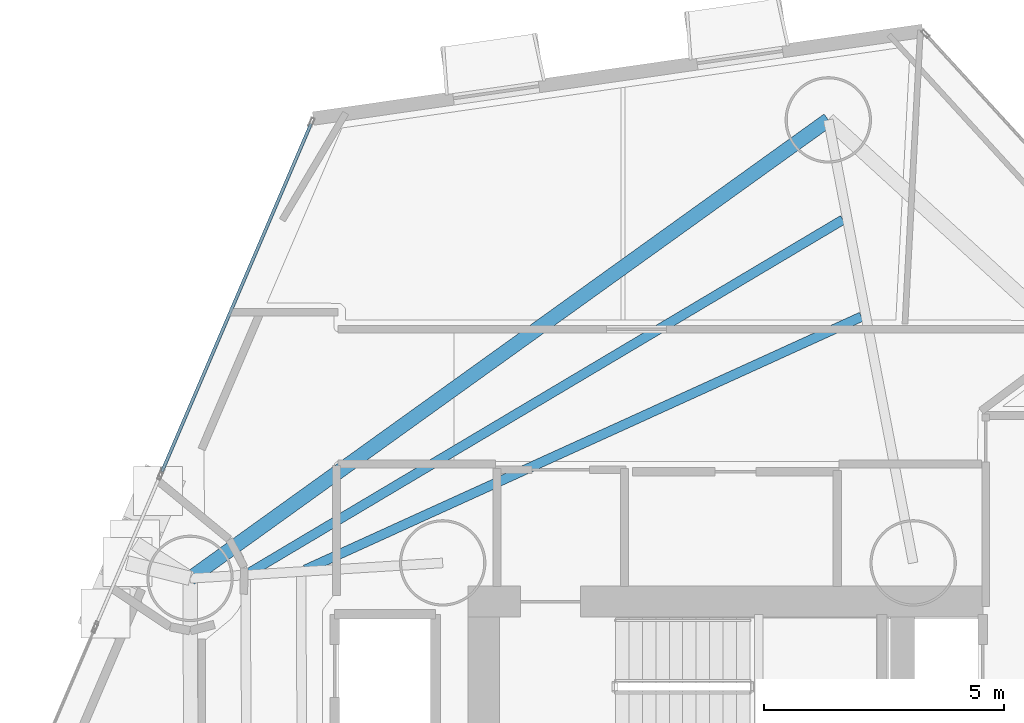
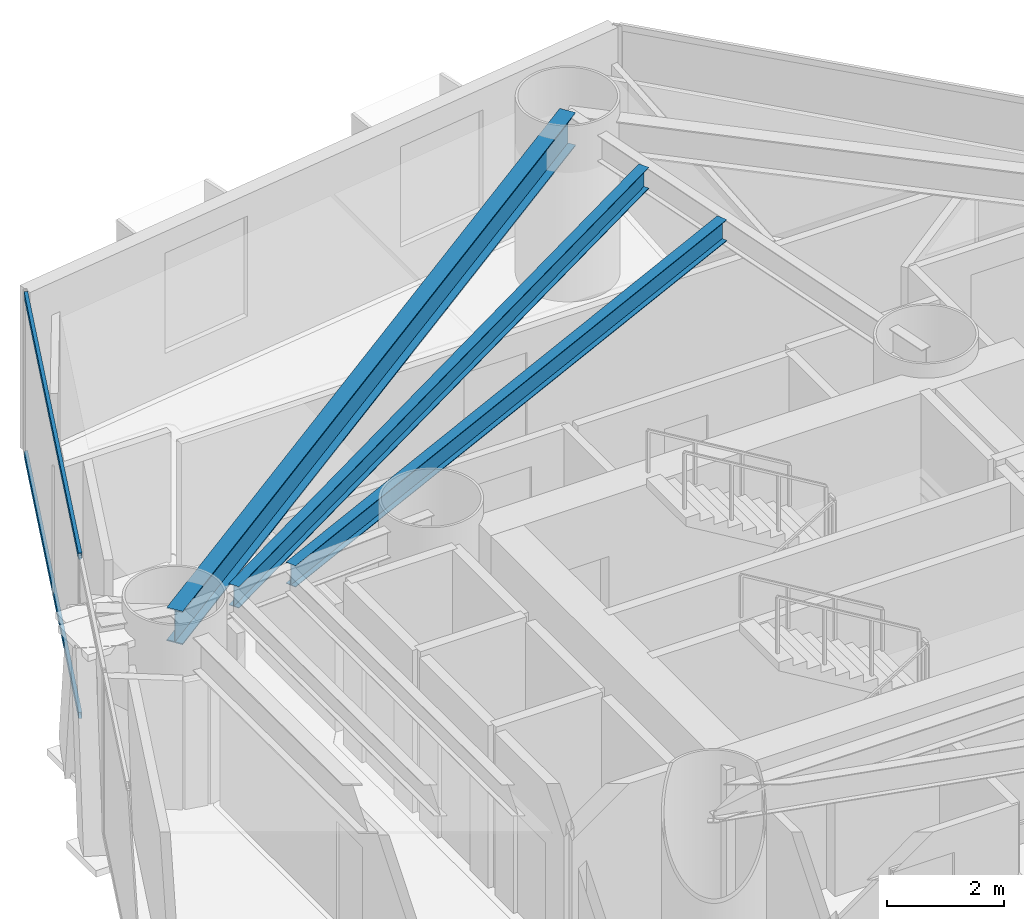
# One storey, part 8 of 22: 3 beams, 2 members, 1 element without a shape of its own.
"""IFC4 building model written with IfcOpenShell, lengths in metres."""

from ifc_helpers import new_model, si_unit, direction, frame, origin, origin_2d, place, context, subcontext, project, spatial, hollow_rectangle, i_section, extrude, material, layer, layer_set, material_profile, profile_set, type_object, element, aggregate, save


model = new_model("IFC4")

# Units and contexts
model_context = context("Model", 3, precision=1e-05, world=origin(), true_north=direction((0.0, 1.0)))
body_context = subcontext(model_context, "Body", "Model", "MODEL_VIEW")
ifc_project = project(units=[si_unit("LENGTHUNIT", "METRE"), si_unit("AREAUNIT", "SQUARE_METRE"), si_unit("VOLUMEUNIT", "CUBIC_METRE"), si_unit("PLANEANGLEUNIT", "RADIAN"), si_unit("MASSUNIT", "GRAM", prefix="KILO")], contexts=[model_context])

# Site, building, storey
site_placement = place(None, origin())
site = spatial("IfcSite", under=ifc_project, at=site_placement, CompositionType="ELEMENT")
building_placement = place(site_placement, origin())
building = spatial("IfcBuilding", under=site, at=building_placement, Name="Qianvela Tower", CompositionType="ELEMENT")
storey_placement = place(building_placement, frame((0.0, 0.0, 44.199951171875)))
storey = spatial("IfcBuildingStorey", under=building, at=storey_placement, Name="L10", CompositionType="ELEMENT", Elevation=44.199951171875)

# Beams
ifc_material_1 = material(Name="Steel Q355B", Category="steel")
ifc_material_profile_1 = material_profile(ifc_material_1, i_section(OverallWidth=0.199951171875, OverallDepth=0.449951171875, WebThickness=0.009033203125, FlangeThickness=0.013916015625, at=origin_2d()), Name="HN450x200x9x14")
ifc_profile_set_1 = profile_set([ifc_material_profile_1], Name="Steel Q355B")
beam_type_1 = type_object("IfcBeamType", Name="BM-HN450-JOIST", PredefinedType="JOIST", material=ifc_profile_set_1)
beam_1_placement = place(storey_placement, frame((37.322509765625, 38.677978515625, 3.173095703125), z_axis=(-0.910244872328, -0.414070371315, 0.0), x_axis=(0.414070371315, -0.910244872328, 0.0)))
element("IfcBeam", 1, at=beam_1_placement, inside=storey, type_object=beam_type_1, Name="L10 Secondary Composite Floor Joist 3.2", PredefinedType="JOIST", context=body_context, shape_type="SweptSolid", body=[
    extrude(i_section(OverallWidth=0.199951171875, OverallDepth=0.449951171875, WebThickness=0.009033203125, FlangeThickness=0.013916015625, at=origin_2d()), origin(), (0.0, 0.0, 1.0), 12.723876953125),
])
beam_2_placement = place(storey_placement, frame((36.9384765625, 40.69873046875, 3.173095703125), z_axis=(-0.859492146952, -0.511148950237, 0.0), x_axis=(0.511148950237, -0.859492146952, 0.0)))
element("IfcBeam", 2, at=beam_2_placement, inside=storey, type_object=beam_type_1, Name="L10 Secondary Composite Floor Joist 3.3", PredefinedType="JOIST", context=body_context, shape_type="SweptSolid", body=[
    extrude(i_section(OverallWidth=0.199951171875, OverallDepth=0.449951171875, WebThickness=0.009033203125, FlangeThickness=0.013916015625, at=origin_2d()), origin(), (0.0, 0.0, 1.0), 14.381103515625),
])
ifc_material_2 = material(Name="Steel Q355B", Category="steel")
ifc_material_profile_2 = material_profile(ifc_material_2, i_section(OverallWidth=0.300048828125, OverallDepth=0.699951171875, WebThickness=0.012939453125, FlangeThickness=0.02392578125, at=origin_2d()), Name="HN700x300x13x24")
ifc_profile_set_2 = profile_set([ifc_material_profile_2], Name="Steel Q355B")
beam_type_2 = type_object("IfcBeamType", Name="BM-HN700-SPAND", PredefinedType="SPANDREL", material=ifc_profile_set_2)
beam_3_placement = place(storey_placement, frame((36.632080078125, 42.778076171875, 3.048095703125), z_axis=(-0.812164446449, -0.583428583397, 0.0), x_axis=(0.583428583397, -0.812164446449, 0.0)))
element("IfcBeam", 3, at=beam_3_placement, inside=storey, type_object=beam_type_2, Name="L10 Perimeter Ring Spandrel Girder 3", PredefinedType="SPANDREL", context=body_context, shape_type="SweptSolid", body=[
    extrude(i_section(OverallWidth=0.300048828125, OverallDepth=0.699951171875, WebThickness=0.012939453125, FlangeThickness=0.02392578125, at=origin_2d()), origin(), (0.0, 0.0, 1.0), 16.368896484375),
])

# Curtain wall, members
ifc_material_3 = material(Name="Anodised Architectural Aluminium and Low-E Glass", Category="aluminium")
ifc_layer = layer(ifc_material_3, 0.179931640625)
ifc_layer_set = layer_set([ifc_layer], Name="Anodised Architectural Aluminium and Low-E Glass")
curtain_wall_type = type_object("IfcCurtainWallType", Name="CW-COLIV-Z12", PredefinedType="USERDEFINED", material=ifc_layer_set)
curtain_wall_placement = place(storey_placement, origin())
curtain_wall = element("IfcCurtainWall", 4, at=curtain_wall_placement, inside=storey, type_object=curtain_wall_type, Name="L10 CW-COLIV-Z12 Curtain Wall 04A", ObjectType="CURTAIN_WALL_SYSTEM", PredefinedType="USERDEFINED")
ifc_material_4 = material(Name="Anodised Architectural Aluminium 6063-T6", Category="aluminium")
ifc_material_profile_3 = material_profile(ifc_material_4, hollow_rectangle(XDim=0.06494140625, YDim=0.1298828125, WallThickness=0.00439453125, at=origin_2d()), Name="ALU-TRAN-65x130")
ifc_profile_set_3 = profile_set([ifc_material_profile_3], Name="Anodised Architectural Aluminium 6063-T6")
member_type = type_object("IfcMemberType", Name="CW-COLIV-Z12-TRAN", PredefinedType="USERDEFINED", material=ifc_profile_set_3)
member_1_placement = place(storey_placement, frame((25.857666015625, 42.696044921875, 0.032470703125), z_axis=(-0.393945473489, -0.919133811759, 0.0), x_axis=(0.919133811759, -0.393945473489, 0.0)))
member_1 = element("IfcMember", 5, at=member_1_placement, type_object=member_type, Name="CW-3 transom 1.1", ObjectType="TRANSOM", PredefinedType="USERDEFINED", context=body_context, shape_type="SweptSolid", body=[
    extrude(hollow_rectangle(XDim=0.06494140625, YDim=0.1298828125, WallThickness=0.00439453125, at=origin_2d()), origin(), (0.0, 0.0, 1.0), 7.8798828125),
])
member_2_placement = place(storey_placement, frame((25.857666015625, 42.696044921875, 3.367431640625), z_axis=(-0.393945473489, -0.919133811759, 0.0), x_axis=(0.919133811759, -0.393945473489, 0.0)))
member_2 = element("IfcMember", 6, at=member_2_placement, type_object=member_type, Name="CW-3 transom 1.2", ObjectType="TRANSOM", PredefinedType="USERDEFINED", context=body_context, shape_type="SweptSolid", body=[
    extrude(hollow_rectangle(XDim=0.06494140625, YDim=0.1298828125, WallThickness=0.00439453125, at=origin_2d()), origin(), (0.0, 0.0, 1.0), 7.8798828125),
])
aggregate(curtain_wall, [member_1, member_2])

save(model, "model.ifc")
